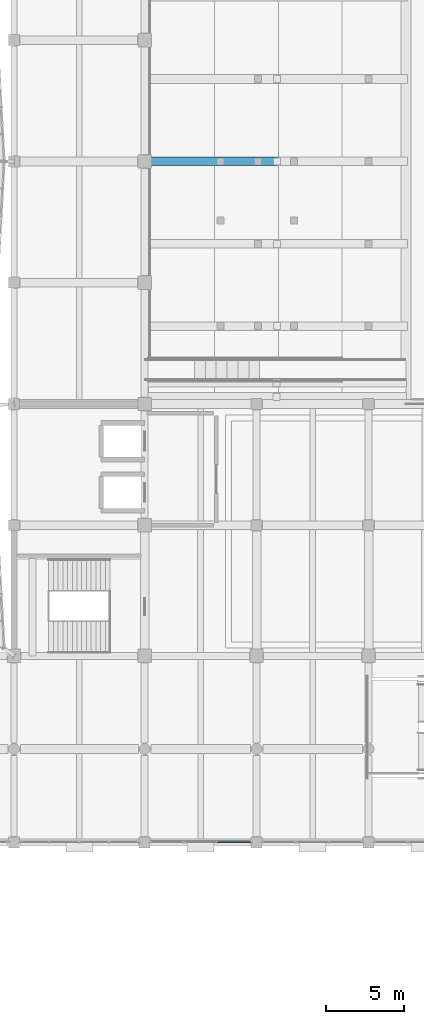
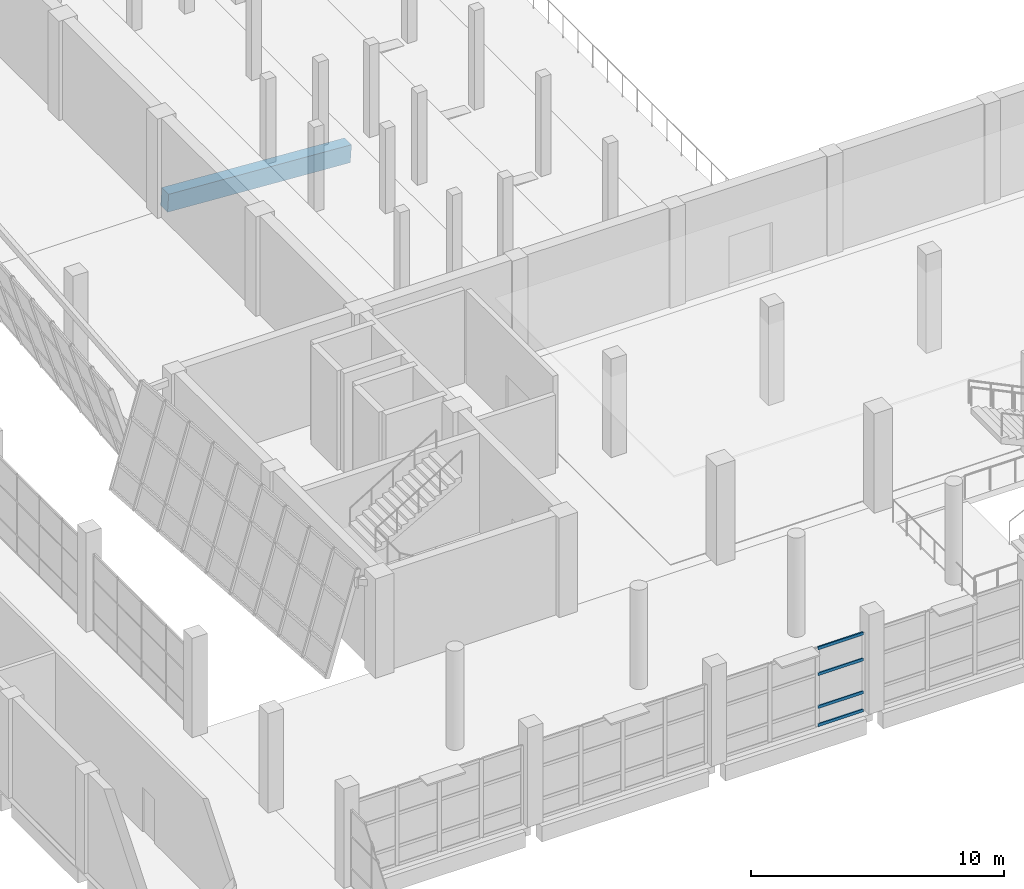
# One storey, part 32 of 91: 4 members, 1 beam, 1 element without a shape of its own.
"""IFC4 building model written with IfcOpenShell, lengths in metres."""

from ifc_helpers import new_model, si_unit, direction, frame, origin, origin_2d, place, context, subcontext, project, spatial, rectangle, hollow_rectangle, extrude, material, material_profile, profile_set, type_object, element, aggregate, save


model = new_model("IFC4")

# Units and contexts
model_context = context("Model", 3, precision=1e-05, world=origin(), true_north=direction((0.0, 1.0)))
body_context = subcontext(model_context, "Body", "Model", "MODEL_VIEW")
ifc_project = project(units=[si_unit("LENGTHUNIT", "METRE"), si_unit("AREAUNIT", "SQUARE_METRE"), si_unit("VOLUMEUNIT", "CUBIC_METRE"), si_unit("PLANEANGLEUNIT", "RADIAN"), si_unit("MASSUNIT", "GRAM", prefix="KILO")], contexts=[model_context])

# Site, building, storey
site_placement = place(None, origin())
site = spatial("IfcSite", under=ifc_project, at=site_placement, CompositionType="ELEMENT")
building_placement = place(site_placement, origin())
building = spatial("IfcBuilding", under=site, at=building_placement, Name="Pellamere Symphony Hall", CompositionType="ELEMENT")
storey_placement = place(building_placement, frame((0.0, 0.0, 5.39990234375)))
storey = spatial("IfcBuildingStorey", under=building, at=storey_placement, Name="L01", CompositionType="ELEMENT", Elevation=5.39990234375)

# Curtain wall, members
ifc_material_1 = material(Name="Thermally Broken Anodised Aluminium 6063-T6 Curtain Wall", Category="aluminium")
curtain_wall_type = type_object("IfcCurtainWallType", Name="Curtain Wall CW-02 (Winter-Garden South Concourse Curtain Wall)", PredefinedType="NOTDEFINED", material=ifc_material_1)
curtain_wall_placement = place(storey_placement, origin())
curtain_wall = element("IfcCurtainWall", 1, at=curtain_wall_placement, inside=storey, type_object=curtain_wall_type, Name="Winter-Garden South Curtain Wall (L01 Bay 3)", PredefinedType="NOTDEFINED")
ifc_material_2 = material(Name="Anodised Architectural Aluminium 6063-T6", Category="aluminium")
ifc_material_profile_1 = material_profile(ifc_material_2, hollow_rectangle(XDim=0.06494140625, YDim=0.139892578125, WallThickness=0.00390625, at=origin_2d()), Name="ALU-T65X140X4")
ifc_profile_set_1 = profile_set([ifc_material_profile_1], Name="Anodised Architectural Aluminium 6063-T6")
member_type = type_object("IfcMemberType", Name="Curtain Wall Transom TR-02 ALU-T65X140X4", PredefinedType="USERDEFINED", material=ifc_profile_set_1)
member_1_placement = place(storey_placement, frame((63.515869140625, 18.0, 0.03271484375), z_axis=(1.0, 0.0, 0.0), x_axis=(0.0, 1.0, 0.0)))
member_1 = element("IfcMember", 2, at=member_1_placement, type_object=member_type, Name="CW2-068 crystal transom 3.1", ObjectType="TRANSOM", PredefinedType="USERDEFINED", context=body_context, shape_type="SweptSolid", body=[
    extrude(hollow_rectangle(XDim=0.06494140625, YDim=0.139892578125, WallThickness=0.00390625, at=origin_2d()), origin(), (0.0, 0.0, 1.0), 2.069091796875),
])
member_2_placement = place(storey_placement, frame((63.515869140625, 18.0, 0.9072265625), z_axis=(1.0, 0.0, 0.0), x_axis=(0.0, 1.0, 0.0)))
member_2 = element("IfcMember", 3, at=member_2_placement, type_object=member_type, Name="CW2-068 crystal transom 3.2", ObjectType="TRANSOM", PredefinedType="USERDEFINED", context=body_context, shape_type="SweptSolid", body=[
    extrude(hollow_rectangle(XDim=0.06494140625, YDim=0.139892578125, WallThickness=0.00390625, at=origin_2d()), origin(), (0.0, 0.0, 1.0), 2.069091796875),
])
member_3_placement = place(storey_placement, frame((63.515869140625, 18.0, 2.494873046875), z_axis=(1.0, 0.0, 0.0), x_axis=(0.0, 1.0, 0.0)))
member_3 = element("IfcMember", 4, at=member_3_placement, type_object=member_type, Name="CW2-068 crystal transom 3.3", ObjectType="TRANSOM", PredefinedType="USERDEFINED", context=body_context, shape_type="SweptSolid", body=[
    extrude(hollow_rectangle(XDim=0.06494140625, YDim=0.139892578125, WallThickness=0.00390625, at=origin_2d()), origin(), (0.0, 0.0, 1.0), 2.069091796875),
])
member_4_placement = place(storey_placement, frame((63.515869140625, 18.0, 3.74755859375), z_axis=(1.0, 0.0, 0.0), x_axis=(0.0, 1.0, 0.0)))
member_4 = element("IfcMember", 5, at=member_4_placement, type_object=member_type, Name="CW2-068 crystal transom 3.4", ObjectType="TRANSOM", PredefinedType="USERDEFINED", context=body_context, shape_type="SweptSolid", body=[
    extrude(hollow_rectangle(XDim=0.06494140625, YDim=0.139892578125, WallThickness=0.00390625, at=origin_2d()), origin(), (0.0, 0.0, 1.0), 2.069091796875),
])
aggregate(curtain_wall, [member_1, member_2, member_3, member_4])

# Beam
ifc_material_3 = material(Name="Concrete 40 MPa", Category="concrete")
ifc_material_profile_2 = material_profile(ifc_material_3, rectangle(XDim=0.550048828125, YDim=0.85009765625, at=origin_2d()), Name="RC 550x850")
ifc_profile_set_2 = profile_set([ifc_material_profile_2], Name="Concrete 40 MPa")
beam_type = type_object("IfcBeamType", Name="RC RK-02 550x850", PredefinedType="BEAM", material=ifc_profile_set_2)
beam_placement = place(storey_placement, frame((67.31201171875, 61.800048828125, -0.082275390625), z_axis=(-0.998017387032, 0.0, 0.062938820939), x_axis=(0.0, -1.0, 0.0)))
element("IfcBeam", 6, at=beam_placement, inside=storey, type_object=beam_type, Name="Stand Dress Circle Raker Beam RK-02-032", PredefinedType="BEAM", context=body_context, shape_type="SweptSolid", body=[
    extrude(rectangle(XDim=0.550048828125, YDim=0.85009765625, at=origin_2d()), origin(), (0.0, 0.0, 1.0), 8.378662109375),
])

save(model, "model.ifc")
